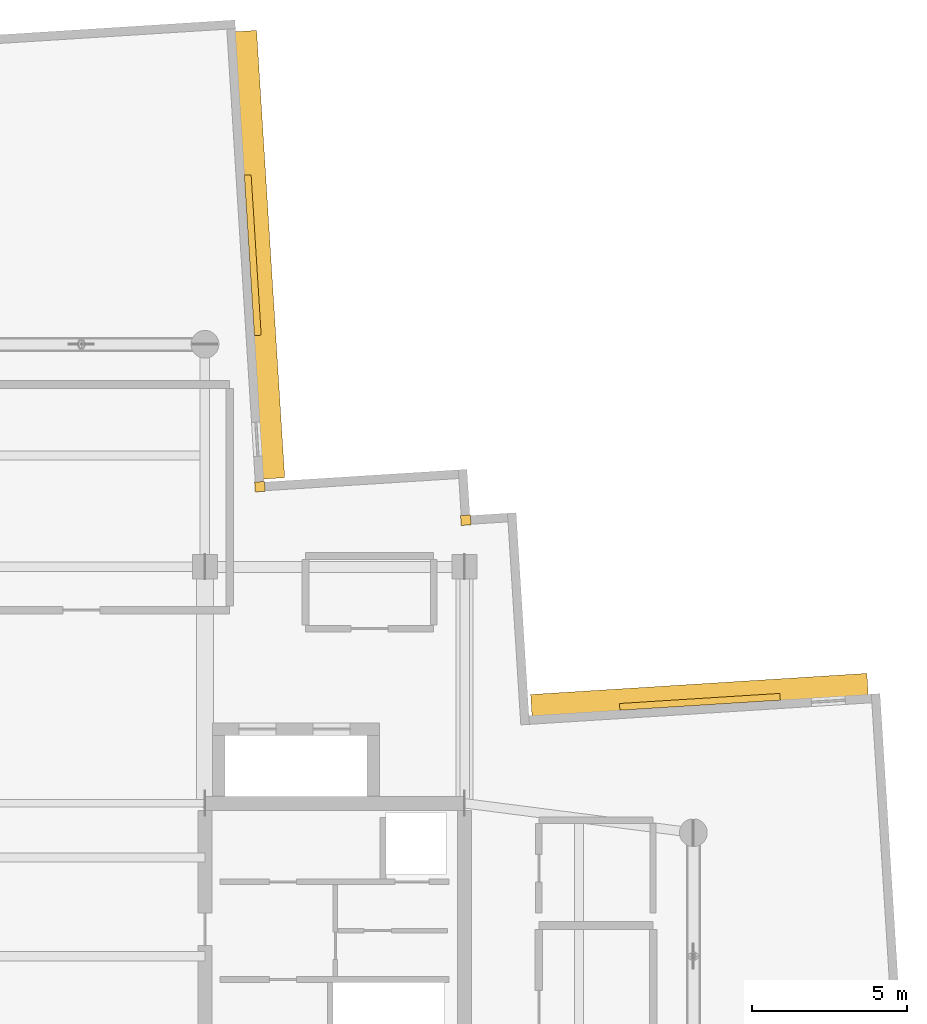
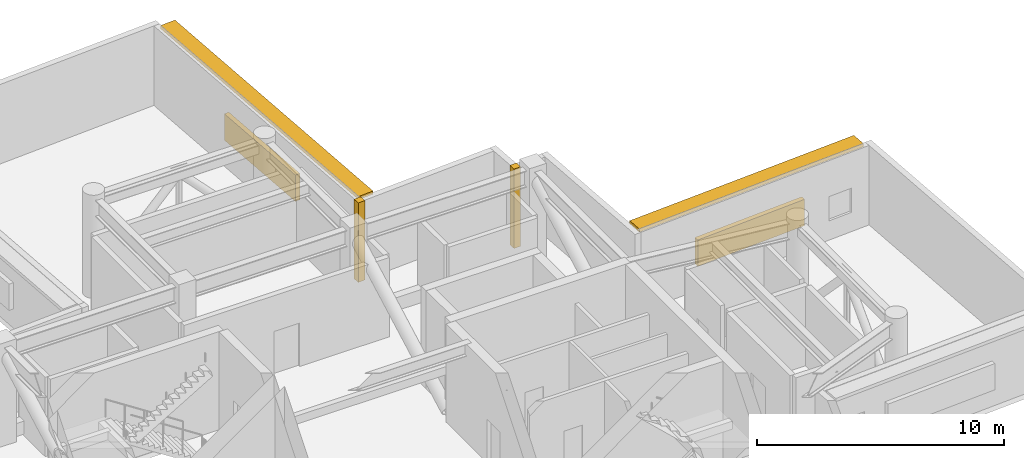
# One storey, part 14 of 14: 4 shading devices, 2 coverings.
"""IFC4 building model written with IfcOpenShell, lengths in metres."""

from ifc_helpers import new_model, si_unit, direction, frame, origin, origin_2d, place, context, subcontext, project, spatial, rectangle, extrude, material, layer, layer_set, type_object, element, save


model = new_model("IFC4")

# Units and contexts
model_context = context("Model", 3, precision=1e-05, world=origin(), true_north=direction((0.0, 1.0)))
body_context = subcontext(model_context, "Body", "Model", "MODEL_VIEW")
ifc_project = project(units=[si_unit("LENGTHUNIT", "METRE"), si_unit("AREAUNIT", "SQUARE_METRE"), si_unit("VOLUMEUNIT", "CUBIC_METRE"), si_unit("PLANEANGLEUNIT", "RADIAN"), si_unit("MASSUNIT", "GRAM", prefix="KILO")], contexts=[model_context])

# Site, building, storey
site_placement = place(None, origin())
site = spatial("IfcSite", under=ifc_project, at=site_placement, CompositionType="ELEMENT")
building_placement = place(site_placement, origin())
building = spatial("IfcBuilding", under=site, at=building_placement, Name="Qingluan Cross Belvedere", CompositionType="ELEMENT")
storey_placement = place(building_placement, frame((0.0, 0.0, 288.89990234375)))
storey = spatial("IfcBuildingStorey", under=building, at=storey_placement, Name="L72", CompositionType="ELEMENT", Elevation=288.89990234375)

# Coverings
ifc_material_1 = material(Name="Precast concrete C45", Category="concrete")
ifc_layer_1 = layer(ifc_material_1, 0.1201171875, Name="ConcreteSpandrelCladding_120")
ifc_layer_set_1 = layer_set([ifc_layer_1], Name="Precast concrete C45")
covering_type = type_object("IfcCoveringType", Name="ConcreteSpandrelCladding_120", PredefinedType="CLADDING", material=ifc_layer_set_1)
for number, where, z_axis, x_axis, name in (
    (1, (12.438720703125, 14.10888671875, 0.0), (0.0, 0.0, 1.0), (0.998026728428, 0.062790519529, 0.0), "Corner closure L72-NE1"),
    (2, (5.77734375, 15.192626953125, 0.0), (0.0, 0.0, 1.0), (0.998026728428, 0.062790519529, 0.0), "Corner closure L72-NE2"),
):
    element("IfcCovering", number, at=place(storey_placement, frame(where, z_axis=z_axis, x_axis=x_axis)), inside=storey, type_object=covering_type, Name=name, PredefinedType="CLADDING", context=body_context, shape_type="SweptSolid", body=[
        extrude(rectangle(XDim=0.320068359375, YDim=0.320068359375, at=origin_2d()), origin(), (0.0, 0.0, 1.0), 3.929931640625),
    ])

# Shading devices
ifc_material_2 = material(Name="Precast concrete C45", Category="concrete")
ifc_layer_2 = layer(ifc_material_2, 0.139892578125, Name="ConcreteSunshadeBand_700")
ifc_layer_set_2 = layer_set([ifc_layer_2], Name="Precast concrete C45")
shading_device_type_1 = type_object("IfcShadingDeviceType", Name="ConcreteSunshadeBand_700", PredefinedType="USERDEFINED", material=ifc_layer_set_2)
shading_device_1_placement = place(storey_placement, frame((19.998046875, 8.46240234375, 3.75), z_axis=(0.0, 0.0, 1.0), x_axis=(-0.998026587145, -0.062792765115, 0.0)))
element("IfcShadingDevice", 3, at=shading_device_1_placement, inside=storey, type_object=shading_device_type_1, Name="Concrete SUNSHADE L72-EB", ObjectType="SUNSHADE", PredefinedType="USERDEFINED", context=body_context, shape_type="SweptSolid", body=[
    extrude(rectangle(XDim=10.89990234375, YDim=0.699951171875, at=origin_2d()), origin(), (0.0, 0.0, 1.0), 0.159912109375),
])
shading_device_2_placement = place(storey_placement, frame((5.776123046875, 22.697509765625, 3.75), z_axis=(0.0, 0.0, 1.0), x_axis=(-0.062789090939, 0.998026818306, 0.0)))
element("IfcShadingDevice", 4, at=shading_device_2_placement, inside=storey, type_object=shading_device_type_1, Name="Concrete SUNSHADE L72-NA", ObjectType="SUNSHADE", PredefinedType="USERDEFINED", context=body_context, shape_type="SweptSolid", body=[
    extrude(rectangle(XDim=14.5, YDim=0.699951171875, at=origin_2d()), origin(), (0.0, 0.0, 1.0), 0.159912109375),
])
ifc_material_3 = material(Name="Anodised aluminium acoustic louvre screen", Category="aluminium")
ifc_layer_3 = layer(ifc_material_3, 0.219970703125, Name="RefugeAcousticLouvre_Screen")
ifc_layer_set_3 = layer_set([ifc_layer_3], Name="Anodised aluminium acoustic louvre screen")
shading_device_type_2 = type_object("IfcShadingDeviceType", Name="RefugeAcousticLouvre_Screen", PredefinedType="JALOUSIE", material=ifc_layer_set_3)
for number, where, z_axis, x_axis, name in (
    (5, (20.0126953125, 8.23291015625, 0.9501953125), (0.0, 0.0, 1.0), (-0.998026587145, -0.062792765115, 0.0), "Plant acoustic louvre SCREEN L72-EB"),
    (6, (5.546630859375, 22.68310546875, 0.9501953125), (0.0, 0.0, 1.0), (-0.062789090939, 0.998026818306, 0.0), "Plant acoustic louvre SCREEN L72-NA"),
):
    element("IfcShadingDevice", number, at=place(storey_placement, frame(where, z_axis=z_axis, x_axis=x_axis)), inside=storey, type_object=shading_device_type_2, Name=name, PredefinedType="JALOUSIE", context=body_context, shape_type="SweptSolid", body=[
        extrude(rectangle(XDim=5.199951171875, YDim=0.219970703125, at=origin_2d()), origin(), (0.0, 0.0, 1.0), 1.300048828125),
    ])

save(model, "model.ifc")
